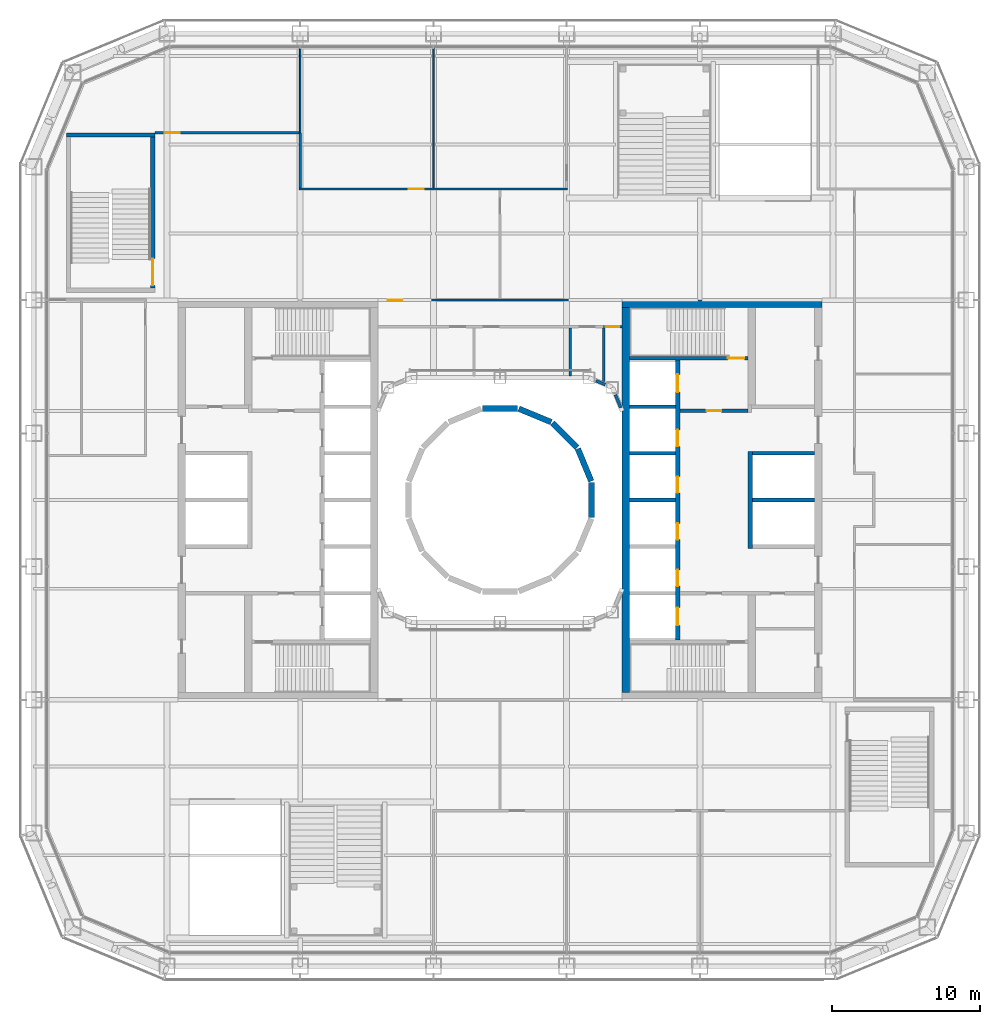
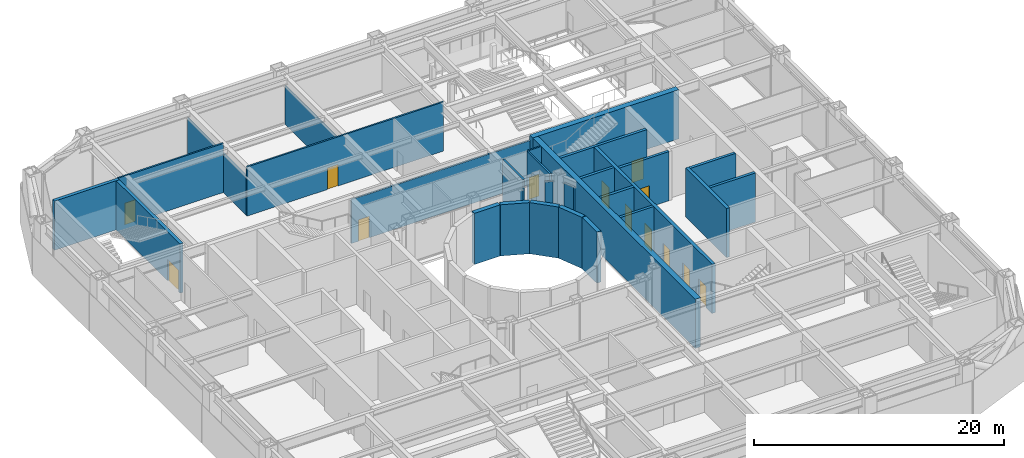
# One storey, part 14 of 25: 29 walls, 13 doors, 13 openings.
"""IFC4 building model written with IfcOpenShell, lengths in metres."""

from ifc_helpers import new_model, si_unit, direction, frame, frame_2d, origin, place, context, subcontext, project, spatial, rectangle, extrude, material, layer, layer_set, type_object, element, fill, save


model = new_model("IFC4")

# Units and contexts
model_context = context("Model", 3, precision=1e-05, world=origin(), true_north=direction((0.0, 1.0)))
body_context = subcontext(model_context, "Body", "Model", "MODEL_VIEW")
ifc_project = project(units=[si_unit("LENGTHUNIT", "METRE"), si_unit("AREAUNIT", "SQUARE_METRE"), si_unit("VOLUMEUNIT", "CUBIC_METRE"), si_unit("PLANEANGLEUNIT", "RADIAN"), si_unit("MASSUNIT", "GRAM", prefix="KILO")], contexts=[model_context])

# Site, building, storey
site_placement = place(None, origin())
site = spatial("IfcSite", under=ifc_project, at=site_placement, CompositionType="ELEMENT")
building_placement = place(site_placement, origin())
building = spatial("IfcBuilding", under=site, at=building_placement, Name="Siwar Civic Tower", CompositionType="ELEMENT")
storey_placement = place(building_placement, frame((0.0, 0.0, 7.199951171875)))
storey = spatial("IfcBuildingStorey", under=building, at=storey_placement, Name="L01", CompositionType="ELEMENT", Elevation=7.199951171875)

# Wall, opening, door
ifc_material_1 = material(Name="Gypsum board on steel studs", Category="steel")
ifc_layer_1 = layer(ifc_material_1, 0.14990234375)
ifc_layer_set_1 = layer_set([ifc_layer_1], Name="Gypsum board on steel studs")
wall_type_1 = type_object("IfcWallType", Name="COMPARTMENT PARTITION 150 EI 60", PredefinedType="PARTITIONING", material=ifc_layer_set_1)
wall_1_placement = place(storey_placement, frame((7.0, 11.699951171875, 0.0), z_axis=(0.0, 0.0, 1.0), x_axis=(1.0, 0.0, 0.0)))
wall_1 = element("IfcWall", 1, at=wall_1_placement, inside=storey, type_object=wall_type_1, Name="L01/wall/P11", PredefinedType="PARTITIONING", context=body_context, shape_type="SweptSolid", body=[
    extrude(rectangle(XDim=1.25, YDim=0.14990234375, at=frame_2d((0.625, 0.0))), origin(), (0.0, 0.0, 1.0), 4.800048828125),
])
opening_1_placement = place(wall_1_placement, frame((0.14990234375, 0.0, 0.0)))
opening_1 = element("IfcOpeningElement", 2, at=opening_1_placement, cuts=wall_1, Name="Opening D4", PredefinedType="OPENING", context=body_context, shape_type="SweptSolid", body=[
    extrude(rectangle(XDim=0.89990234375, YDim=2.10009765625, at=frame_2d((0.449951171875, 1.050048828125))), frame((0.0, 0.0849609375, 0.0), z_axis=(0.0, -1.0, 0.0), x_axis=(1.0, 0.0, 0.0)), (0.0, 0.0, 1.0), 0.169921875),
])
ifc_material_2 = material(Name="Timber, painted", Category="wood")
door_type_1 = type_object("IfcDoorType", Name="DOOR 900 X 2100 FD60", OperationType="SINGLE_SWING_LEFT", PredefinedType="DOOR", material=ifc_material_2)
door_1_placement = place(opening_1_placement, origin())
door_1 = element("IfcDoor", 3, at=door_1_placement, inside=storey, type_object=door_type_1, Name="L01-D13", OperationType="SINGLE_SWING_LEFT", OverallHeight=2.10009765625, OverallWidth=0.89990234375, PredefinedType="DOOR", context=body_context, shape_type="SweptSolid", body=[
    extrude(rectangle(XDim=0.89990234375, YDim=2.10009765625, at=frame_2d((0.449951171875, 1.050048828125))), frame((0.0, 0.02490234375, 0.0), z_axis=(0.0, -1.0, 0.0), x_axis=(1.0, 0.0, 0.0)), (0.0, 0.0, 1.0), 0.050048828125),
])
fill(opening_1, door_1)

# Wall
wall_2_placement = place(storey_placement, frame((7.0, 8.0, 0.0), z_axis=(0.0, 0.0, 1.0), x_axis=(0.0, 1.0, 0.0)))
element("IfcWall", 4, at=wall_2_placement, inside=storey, type_object=wall_type_1, Name="L01/wall/P29", PredefinedType="PARTITIONING", context=body_context, shape_type="SweptSolid", body=[
    extrude(rectangle(XDim=3.625, YDim=0.14990234375, at=frame_2d((1.8125, 0.0))), origin(), (0.0, 0.0, 1.0), 4.800048828125),
])

# Wall, opening, door
ifc_material_3 = material(Name="Concrete C60/75", Category="concrete")
ifc_layer_2 = layer(ifc_material_3, 0.25)
ifc_layer_set_2 = layer_set([ifc_layer_2], Name="Concrete C60/75")
wall_type_2 = type_object("IfcWallType", Name="CORE-WALL-RC250", PredefinedType="SHEAR", material=ifc_layer_set_2)
wall_3_placement = place(storey_placement, frame((12.14990234375, 6.02490234375, 0.0), z_axis=(0.0, 0.0, 1.0), x_axis=(1.0, 0.0, 0.0)))
wall_3 = element("IfcWall", 5, at=wall_3_placement, inside=storey, type_object=wall_type_2, Name="Core wall E", PredefinedType="SHEAR", context=body_context, shape_type="SweptSolid", body=[
    extrude(rectangle(XDim=4.60009765625, YDim=0.25, at=frame_2d((2.300048828125, 0.0))), origin(), (0.0, 0.0, 1.0), 4.800048828125),
])
opening_2_placement = place(wall_3_placement, frame((1.800048828125, 0.0, 0.0)))
opening_2 = element("IfcOpeningElement", 6, at=opening_2_placement, cuts=wall_3, Name="Opening L01-CE01", PredefinedType="OPENING", context=body_context, shape_type="SweptSolid", body=[
    extrude(rectangle(XDim=1.0, YDim=2.10009765625, at=frame_2d((0.5, 1.050048828125))), frame((0.0, 0.135009765625, 0.0), z_axis=(0.0, -1.0, 0.0), x_axis=(1.0, 0.0, 0.0)), (0.0, 0.0, 1.0), 0.27001953125),
])
ifc_material_4 = material(Name="Steel door leaf", Category="steel")
door_type_2 = type_object("IfcDoorType", Name="CORE-DOOR-FD30S", OperationType="SINGLE_SWING_LEFT", PredefinedType="DOOR", material=ifc_material_4)
door_2_placement = place(opening_2_placement, origin())
door_2 = element("IfcDoor", 7, at=door_2_placement, inside=storey, type_object=door_type_2, Name="Firefighting lobby door L01-CE01", OperationType="SINGLE_SWING_RIGHT", OverallHeight=2.10009765625, OverallWidth=1.0, PredefinedType="DOOR", context=body_context, shape_type="SweptSolid", body=[
    extrude(rectangle(XDim=1.0, YDim=2.10009765625, at=frame_2d((0.5, 1.050048828125))), frame((0.0, 0.02490234375, 0.0), z_axis=(0.0, -1.0, 0.0), x_axis=(1.0, 0.0, 0.0)), (0.0, 0.0, 1.0), 0.050048828125),
])
fill(opening_2, door_2)

# Walls
for number, where, z_axis, x_axis, name in (
    (8, (17.050048828125, 0.0, 0.0), (0.0, 0.0, 1.0), (1.0, 0.0, 0.0), "Core wall E"),
    (9, (17.050048828125, 3.14990234375, 0.0), (0.0, 0.0, 1.0), (1.0, 0.0, 0.0), "Core wall E"),
):
    element("IfcWall", number, at=place(storey_placement, frame(where, z_axis=z_axis, x_axis=x_axis)), inside=storey, type_object=wall_type_2, Name=name, PredefinedType="SHEAR", context=body_context, shape_type="SweptSolid", body=[
        extrude(rectangle(XDim=4.199951171875, YDim=0.25, at=frame_2d((2.10009765625, 0.0))), origin(), (0.0, 0.0, 1.0), 4.800048828125),
    ])
for number, where, z_axis, x_axis, name in (
    (10, (8.75, 0.0, 0.0), (0.0, 0.0, 1.0), (1.0, 0.0, 0.0), "Core wall E"),
    (11, (8.75, 3.14990234375, 0.0), (0.0, 0.0, 1.0), (1.0, 0.0, 0.0), "Core wall E"),
    (12, (8.75, 6.300048828125, 0.0), (0.0, 0.0, 1.0), (1.0, 0.0, 0.0), "Core wall E"),
):
    element("IfcWall", number, at=place(storey_placement, frame(where, z_axis=z_axis, x_axis=x_axis)), inside=storey, type_object=wall_type_2, Name=name, PredefinedType="SHEAR", context=body_context, shape_type="SweptSolid", body=[
        extrude(rectangle(XDim=3.10009765625, YDim=0.25, at=frame_2d((1.550048828125, 0.0))), origin(), (0.0, 0.0, 1.0), 4.800048828125),
    ])

# Wall, opening, door
wall_4_placement = place(storey_placement, frame((8.75, 9.574951171875, 0.0), z_axis=(0.0, 0.0, 1.0), x_axis=(1.0, 0.0, 0.0)))
wall_4 = element("IfcWall", 13, at=wall_4_placement, inside=storey, type_object=wall_type_2, Name="Core wall E", PredefinedType="SHEAR", context=body_context, shape_type="SweptSolid", body=[
    extrude(rectangle(XDim=8.0, YDim=0.25, at=frame_2d((4.0, 0.0))), origin(), (0.0, 0.0, 1.0), 4.800048828125),
])
opening_3_placement = place(wall_4_placement, frame((6.64990234375, 0.0, 0.0)))
opening_3 = element("IfcOpeningElement", 14, at=opening_3_placement, cuts=wall_4, Name="Opening L01-CE03", PredefinedType="OPENING", context=body_context, shape_type="SweptSolid", body=[
    extrude(rectangle(XDim=1.10009765625, YDim=2.10009765625, at=frame_2d((0.550048828125, 1.050048828125))), frame((0.0, 0.135009765625, 0.0), z_axis=(0.0, -1.0, 0.0), x_axis=(1.0, 0.0, 0.0)), (0.0, 0.0, 1.0), 0.27001953125),
])
ifc_material_5 = material(Name="Steel door leaf", Category="steel")
door_type_3 = type_object("IfcDoorType", Name="CORE-DOOR-FD60S", OperationType="SINGLE_SWING_LEFT", PredefinedType="DOOR", material=ifc_material_5)
door_3_placement = place(opening_3_placement, origin())
door_3 = element("IfcDoor", 15, at=door_3_placement, inside=storey, type_object=door_type_3, Name="Stair door L01-CE03", OperationType="SINGLE_SWING_LEFT", OverallHeight=2.10009765625, OverallWidth=1.10009765625, PredefinedType="DOOR", context=body_context, shape_type="SweptSolid", body=[
    extrude(rectangle(XDim=1.10009765625, YDim=2.10009765625, at=frame_2d((0.550048828125, 1.050048828125))), frame((0.0, 0.02490234375, 0.0), z_axis=(0.0, -1.0, 0.0), x_axis=(1.0, 0.0, 0.0)), (0.0, 0.0, 1.0), 0.050048828125),
])
fill(opening_3, door_3)

# Wall, openings, doors
ifc_material_6 = material(Name="Concrete C60/75", Category="concrete")
ifc_layer_3 = layer(ifc_material_6, 0.300048828125)
ifc_layer_set_3 = layer_set([ifc_layer_3], Name="Concrete C60/75")
wall_type_3 = type_object("IfcWallType", Name="CORE-WALL-RC300", PredefinedType="SHEAR", material=ifc_layer_set_3)
wall_5_placement = place(storey_placement, frame((12.0, -9.449951171875, 0.0), z_axis=(0.0, 0.0, 1.0), x_axis=(0.0, 1.0, 0.0)))
wall_5 = element("IfcWall", 16, at=wall_5_placement, inside=storey, type_object=wall_type_3, Name="Core wall E", PredefinedType="SHEAR", context=body_context, shape_type="SweptSolid", body=[
    extrude(rectangle(XDim=18.89990234375, YDim=0.300048828125, at=frame_2d((9.449951171875, 0.0))), origin(), (0.0, 0.0, 1.0), 4.800048828125),
])
opening_4_placement = place(wall_5_placement, frame((3.625, 0.0, 0.0)))
opening_4 = element("IfcOpeningElement", 17, at=opening_4_placement, cuts=wall_5, Name="Opening L01-CE07", PredefinedType="OPENING", context=body_context, shape_type="SweptSolid", body=[
    extrude(rectangle(XDim=1.10009765625, YDim=2.10009765625, at=frame_2d((0.550048828125, 1.050048828125))), frame((0.0, 0.16015625, 0.0), z_axis=(0.0, -1.0, 0.0), x_axis=(1.0, 0.0, 0.0)), (0.0, 0.0, 1.0), 0.320068359375),
])
opening_5_placement = place(wall_5_placement, frame((6.77490234375, 0.0, 0.0)))
opening_5 = element("IfcOpeningElement", 18, at=opening_5_placement, cuts=wall_5, Name="Opening L01-CE08", PredefinedType="OPENING", context=body_context, shape_type="SweptSolid", body=[
    extrude(rectangle(XDim=1.10009765625, YDim=2.10009765625, at=frame_2d((0.550048828125, 1.050048828125))), frame((0.0, 0.16015625, 0.0), z_axis=(0.0, -1.0, 0.0), x_axis=(1.0, 0.0, 0.0)), (0.0, 0.0, 1.0), 0.320068359375),
])
opening_6_placement = place(wall_5_placement, frame((9.925048828125, 0.0, 0.0)))
opening_6 = element("IfcOpeningElement", 19, at=opening_6_placement, cuts=wall_5, Name="Opening L01-CE09", PredefinedType="OPENING", context=body_context, shape_type="SweptSolid", body=[
    extrude(rectangle(XDim=1.10009765625, YDim=2.10009765625, at=frame_2d((0.550048828125, 1.050048828125))), frame((0.0, 0.16015625, 0.0), z_axis=(0.0, -1.0, 0.0), x_axis=(1.0, 0.0, 0.0)), (0.0, 0.0, 1.0), 0.320068359375),
])
opening_7_placement = place(wall_5_placement, frame((13.074951171875, 0.0, 0.0)))
opening_7 = element("IfcOpeningElement", 20, at=opening_7_placement, cuts=wall_5, Name="Opening L01-CE10", PredefinedType="OPENING", context=body_context, shape_type="SweptSolid", body=[
    extrude(rectangle(XDim=1.10009765625, YDim=2.10009765625, at=frame_2d((0.550048828125, 1.050048828125))), frame((0.0, 0.16015625, 0.0), z_axis=(0.0, -1.0, 0.0), x_axis=(1.0, 0.0, 0.0)), (0.0, 0.0, 1.0), 0.320068359375),
])
opening_8_placement = place(wall_5_placement, frame((16.72509765625, 0.0, 0.0)))
opening_8 = element("IfcOpeningElement", 21, at=opening_8_placement, cuts=wall_5, Name="Opening L01-CE11", PredefinedType="OPENING", context=body_context, shape_type="SweptSolid", body=[
    extrude(rectangle(XDim=1.199951171875, YDim=2.10009765625, at=frame_2d((0.60009765625, 1.050048828125))), frame((0.0, 0.16015625, 0.0), z_axis=(0.0, -1.0, 0.0), x_axis=(1.0, 0.0, 0.0)), (0.0, 0.0, 1.0), 0.320068359375),
])
opening_9_placement = place(wall_5_placement, frame((0.97509765625, 0.0, 0.0)))
opening_9 = element("IfcOpeningElement", 22, at=opening_9_placement, cuts=wall_5, Name="Opening L01-CE12", PredefinedType="OPENING", context=body_context, shape_type="SweptSolid", body=[
    extrude(rectangle(XDim=1.199951171875, YDim=2.10009765625, at=frame_2d((0.60009765625, 1.050048828125))), frame((0.0, 0.16015625, 0.0), z_axis=(0.0, -1.0, 0.0), x_axis=(1.0, 0.0, 0.0)), (0.0, 0.0, 1.0), 0.320068359375),
])
ifc_material_7 = material(Name="Steel door leaf", Category="steel")
door_type_4 = type_object("IfcDoorType", Name="CORE-DOOR-LD", OperationType="DOUBLE_DOOR_SLIDING", PredefinedType="DOOR", material=ifc_material_7)
door_4_placement = place(opening_4_placement, origin())
door_4 = element("IfcDoor", 23, at=door_4_placement, inside=storey, type_object=door_type_4, Name="Landing door LR5 L01-CE07", OperationType="DOUBLE_DOOR_SLIDING", OverallHeight=2.10009765625, OverallWidth=1.10009765625, PredefinedType="DOOR", context=body_context, shape_type="SweptSolid", body=[
    extrude(rectangle(XDim=1.10009765625, YDim=2.10009765625, at=frame_2d((0.550048828125, 1.050048828125))), frame((0.0, 0.02490234375, 0.0), z_axis=(0.0, -1.0, 0.0), x_axis=(1.0, 0.0, 0.0)), (0.0, 0.0, 1.0), 0.050048828125),
])
fill(opening_4, door_4)
door_5_placement = place(opening_5_placement, origin())
door_5 = element("IfcDoor", 24, at=door_5_placement, inside=storey, type_object=door_type_4, Name="Landing door LR6 L01-CE08", OperationType="DOUBLE_DOOR_SLIDING", OverallHeight=2.10009765625, OverallWidth=1.10009765625, PredefinedType="DOOR", context=body_context, shape_type="SweptSolid", body=[
    extrude(rectangle(XDim=1.10009765625, YDim=2.10009765625, at=frame_2d((0.550048828125, 1.050048828125))), frame((0.0, 0.02490234375, 0.0), z_axis=(0.0, -1.0, 0.0), x_axis=(1.0, 0.0, 0.0)), (0.0, 0.0, 1.0), 0.050048828125),
])
fill(opening_5, door_5)
door_6_placement = place(opening_6_placement, origin())
door_6 = element("IfcDoor", 25, at=door_6_placement, inside=storey, type_object=door_type_4, Name="Landing door LR7 L01-CE09", OperationType="DOUBLE_DOOR_SLIDING", OverallHeight=2.10009765625, OverallWidth=1.10009765625, PredefinedType="DOOR", context=body_context, shape_type="SweptSolid", body=[
    extrude(rectangle(XDim=1.10009765625, YDim=2.10009765625, at=frame_2d((0.550048828125, 1.050048828125))), frame((0.0, 0.02490234375, 0.0), z_axis=(0.0, -1.0, 0.0), x_axis=(1.0, 0.0, 0.0)), (0.0, 0.0, 1.0), 0.050048828125),
])
fill(opening_6, door_6)
door_7_placement = place(opening_7_placement, origin())
door_7 = element("IfcDoor", 26, at=door_7_placement, inside=storey, type_object=door_type_4, Name="Landing door LR8 L01-CE10", OperationType="DOUBLE_DOOR_SLIDING", OverallHeight=2.10009765625, OverallWidth=1.10009765625, PredefinedType="DOOR", context=body_context, shape_type="SweptSolid", body=[
    extrude(rectangle(XDim=1.10009765625, YDim=2.10009765625, at=frame_2d((0.550048828125, 1.050048828125))), frame((0.0, 0.02490234375, 0.0), z_axis=(0.0, -1.0, 0.0), x_axis=(1.0, 0.0, 0.0)), (0.0, 0.0, 1.0), 0.050048828125),
])
fill(opening_7, door_7)
ifc_material_8 = material(Name="Steel door leaf", Category="steel")
door_type_5 = type_object("IfcDoorType", Name="CORE-DOOR-LDW", OperationType="DOUBLE_DOOR_SLIDING", PredefinedType="DOOR", material=ifc_material_8)
door_8_placement = place(opening_8_placement, origin())
door_8 = element("IfcDoor", 27, at=door_8_placement, inside=storey, type_object=door_type_5, Name="Landing door FF2 L01-CE11", OperationType="DOUBLE_DOOR_SLIDING", OverallHeight=2.10009765625, OverallWidth=1.199951171875, PredefinedType="DOOR", context=body_context, shape_type="SweptSolid", body=[
    extrude(rectangle(XDim=1.199951171875, YDim=2.10009765625, at=frame_2d((0.60009765625, 1.050048828125))), frame((0.0, 0.02490234375, 0.0), z_axis=(0.0, -1.0, 0.0), x_axis=(1.0, 0.0, 0.0)), (0.0, 0.0, 1.0), 0.050048828125),
])
fill(opening_8, door_8)
door_9_placement = place(opening_9_placement, origin())
door_9 = element("IfcDoor", 28, at=door_9_placement, inside=storey, type_object=door_type_5, Name="Landing door SV2 L01-CE12", OperationType="DOUBLE_DOOR_SLIDING", OverallHeight=2.10009765625, OverallWidth=1.199951171875, PredefinedType="DOOR", context=body_context, shape_type="SweptSolid", body=[
    extrude(rectangle(XDim=1.199951171875, YDim=2.10009765625, at=frame_2d((0.60009765625, 1.050048828125))), frame((0.0, 0.02490234375, 0.0), z_axis=(0.0, -1.0, 0.0), x_axis=(1.0, 0.0, 0.0)), (0.0, 0.0, 1.0), 0.050048828125),
])
fill(opening_9, door_9)

# Walls
wall_6_placement = place(storey_placement, frame((16.89990234375, -3.27490234375, 0.0), z_axis=(0.0, 0.0, 1.0), x_axis=(0.0, 1.0, 0.0)))
element("IfcWall", 29, at=wall_6_placement, inside=storey, type_object=wall_type_3, Name="Core wall E", PredefinedType="SHEAR", context=body_context, shape_type="SweptSolid", body=[
    extrude(rectangle(XDim=6.5498046875, YDim=0.300048828125, at=frame_2d((3.27490234375, 0.0))), origin(), (0.0, 0.0, 1.0), 4.800048828125),
])
ifc_material_9 = material(Name="Concrete C60/75", Category="concrete")
ifc_layer_4 = layer(ifc_material_9, 0.5)
ifc_layer_set_4 = layer_set([ifc_layer_4], Name="Concrete C60/75")
wall_type_4 = type_object("IfcWallType", Name="CORE-WALL-RC500", PredefinedType="SHEAR", material=ifc_layer_set_4)
wall_7_placement = place(storey_placement, frame((8.25, 13.25, 0.0), z_axis=(0.0, 0.0, 1.0), x_axis=(1.0, 0.0, 0.0)))
element("IfcWall", 30, at=wall_7_placement, inside=storey, type_object=wall_type_4, Name="Core wall E", PredefinedType="SHEAR", context=body_context, shape_type="SweptSolid", body=[
    extrude(rectangle(XDim=13.5, YDim=0.5, at=frame_2d((6.75, 0.0))), origin(), (0.0, 0.0, 1.0), 4.800048828125),
])
ifc_material_10 = material(Name="Concrete C60/75", Category="concrete")
ifc_layer_5 = layer(ifc_material_10, 0.5)
ifc_layer_set_5 = layer_set([ifc_layer_5], Name="Concrete C60/75")
wall_type_5 = type_object("IfcWallType", Name="CORE-WALL-RC500-EXT", PredefinedType="SHEAR", material=ifc_layer_set_5)
wall_8_placement = place(storey_placement, frame((8.5, -13.0, 0.0), z_axis=(0.0, 0.0, 1.0), x_axis=(0.0, 1.0, 0.0)))
element("IfcWall", 31, at=wall_8_placement, inside=storey, type_object=wall_type_5, Name="Core wall E", PredefinedType="SHEAR", context=body_context, shape_type="SweptSolid", body=[
    extrude(rectangle(XDim=26.0, YDim=0.5, at=frame_2d((13.0, 0.0))), origin(), (0.0, 0.0, 1.0), 4.800048828125),
])

# Wall, opening, door
ifc_material_11 = material(Name="Gypsum board on steel studs", Category="steel")
ifc_layer_6 = layer(ifc_material_11, 0.14990234375)
ifc_layer_set_6 = layer_set([ifc_layer_6], Name="Gypsum board on steel studs")
wall_type_6 = type_object("IfcWallType", Name="CORRIDOR PARTITION 150 EI 30", PredefinedType="PARTITIONING", material=ifc_layer_set_6)
wall_9_placement = place(storey_placement, frame((-8.25, 13.5, 0.0), z_axis=(0.0, 0.0, 1.0), x_axis=(1.0, 0.0, 0.0)))
wall_9 = element("IfcWall", 32, at=wall_9_placement, inside=storey, type_object=wall_type_6, Name="L01/wall/P13", PredefinedType="PARTITIONING", context=body_context, shape_type="SweptSolid", body=[
    extrude(rectangle(XDim=16.5, YDim=0.14990234375, at=frame_2d((8.25, 0.0))), origin(), (0.0, 0.0, 1.0), 4.300048828125),
])
opening_10_placement = place(wall_9_placement, frame((0.64990234375, 0.0, 0.0)))
opening_10 = element("IfcOpeningElement", 33, at=opening_10_placement, cuts=wall_9, Name="Opening D1", PredefinedType="OPENING", context=body_context, shape_type="SweptSolid", body=[
    extrude(rectangle(XDim=1.0, YDim=2.10009765625, at=frame_2d((0.5, 1.050048828125))), frame((0.0, 0.0849609375, 0.0), z_axis=(0.0, -1.0, 0.0), x_axis=(1.0, 0.0, 0.0)), (0.0, 0.0, 1.0), 0.169921875),
])
ifc_material_12 = material(Name="Timber, painted", Category="wood")
door_type_6 = type_object("IfcDoorType", Name="DOOR 1000 X 2100 FD30", OperationType="SINGLE_SWING_LEFT", PredefinedType="DOOR", material=ifc_material_12)
door_10_placement = place(opening_10_placement, origin())
door_10 = element("IfcDoor", 34, at=door_10_placement, inside=storey, type_object=door_type_6, Name="L01-D09", OperationType="SINGLE_SWING_LEFT", OverallHeight=2.10009765625, OverallWidth=1.0, PredefinedType="DOOR", context=body_context, shape_type="SweptSolid", body=[
    extrude(rectangle(XDim=1.0, YDim=2.10009765625, at=frame_2d((0.5, 1.050048828125))), frame((0.0, 0.02490234375, 0.0), z_axis=(0.0, -1.0, 0.0), x_axis=(1.0, 0.0, 0.0)), (0.0, 0.0, 1.0), 0.050048828125),
])
fill(opening_10, door_10)

wall_10_placement = place(storey_placement, frame((-13.574951171875, 21.0, 0.0), z_axis=(0.0, 0.0, 1.0), x_axis=(1.0, 0.0, 0.0)))
wall_10 = element("IfcWall", 35, at=wall_10_placement, inside=storey, type_object=wall_type_6, Name="L01/wall/P14", PredefinedType="PARTITIONING", context=body_context, shape_type="SweptSolid", body=[
    extrude(rectangle(XDim=18.14990234375, YDim=0.14990234375, at=frame_2d((9.074951171875, 0.0))), origin(), (0.0, 0.0, 1.0), 4.800048828125),
])
opening_11_placement = place(wall_10_placement, frame((7.425048828125, 0.0, 0.0)))
opening_11 = element("IfcOpeningElement", 36, at=opening_11_placement, cuts=wall_10, Name="Opening D1", PredefinedType="OPENING", context=body_context, shape_type="SweptSolid", body=[
    extrude(rectangle(XDim=1.0, YDim=2.10009765625, at=frame_2d((0.5, 1.050048828125))), frame((0.0, 0.0849609375, 0.0), z_axis=(0.0, -1.0, 0.0), x_axis=(1.0, 0.0, 0.0)), (0.0, 0.0, 1.0), 0.169921875),
])
door_11_placement = place(opening_11_placement, origin())
door_11 = element("IfcDoor", 37, at=door_11_placement, inside=storey, type_object=door_type_6, Name="L01-D03", OperationType="SINGLE_SWING_LEFT", OverallHeight=2.10009765625, OverallWidth=1.0, PredefinedType="DOOR", context=body_context, shape_type="SweptSolid", body=[
    extrude(rectangle(XDim=1.0, YDim=2.10009765625, at=frame_2d((0.5, 1.050048828125))), frame((0.0, 0.02490234375, 0.0), z_axis=(0.0, -1.0, 0.0), x_axis=(1.0, 0.0, 0.0)), (0.0, 0.0, 1.0), 0.050048828125),
])
fill(opening_11, door_11)

wall_11_placement = place(storey_placement, frame((-23.300048828125, 24.800048828125, 0.0), z_axis=(0.0, 0.0, 1.0), x_axis=(1.0, 0.0, 0.0)))
wall_11 = element("IfcWall", 38, at=wall_11_placement, inside=storey, type_object=wall_type_6, Name="L01/wall/P16", PredefinedType="PARTITIONING", context=body_context, shape_type="SweptSolid", body=[
    extrude(rectangle(XDim=9.75, YDim=0.14990234375, at=frame_2d((4.875, 0.0))), origin(), (0.0, 0.0, 1.0), 4.800048828125),
])
opening_12_placement = place(wall_11_placement, frame((0.64990234375, 0.0, 0.0)))
opening_12 = element("IfcOpeningElement", 39, at=opening_12_placement, cuts=wall_11, Name="Opening D1", PredefinedType="OPENING", context=body_context, shape_type="SweptSolid", body=[
    extrude(rectangle(XDim=1.0, YDim=2.10009765625, at=frame_2d((0.5, 1.050048828125))), frame((0.0, 0.0849609375, 0.0), z_axis=(0.0, -1.0, 0.0), x_axis=(1.0, 0.0, 0.0)), (0.0, 0.0, 1.0), 0.169921875),
])
door_12_placement = place(opening_12_placement, origin())
door_12 = element("IfcDoor", 40, at=door_12_placement, inside=storey, type_object=door_type_6, Name="L01-D02", OperationType="SINGLE_SWING_RIGHT", OverallHeight=2.10009765625, OverallWidth=1.0, PredefinedType="DOOR", context=body_context, shape_type="SweptSolid", body=[
    extrude(rectangle(XDim=1.0, YDim=2.10009765625, at=frame_2d((0.5, 1.050048828125))), frame((0.0, 0.02490234375, 0.0), z_axis=(0.0, -1.0, 0.0), x_axis=(1.0, 0.0, 0.0)), (0.0, 0.0, 1.0), 0.050048828125),
])
fill(opening_12, door_12)

# Walls
wall_12_placement = place(storey_placement, frame((-13.5, 21.074951171875, 0.0), z_axis=(0.0, 0.0, 1.0), x_axis=(0.0, 1.0, 0.0)))
element("IfcWall", 41, at=wall_12_placement, inside=storey, type_object=wall_type_6, Name="L01/wall/P20", PredefinedType="PARTITIONING", context=body_context, shape_type="SweptSolid", body=[
    extrude(rectangle(XDim=3.72509765625, YDim=0.14990234375, at=frame_2d((1.862548828125, 0.0))), origin(), (0.0, 0.0, 1.0), 3.800048828125),
])
wall_13_placement = place(storey_placement, frame((4.75, 8.3701171875, 0.0), z_axis=(0.0, 0.0, 1.0), x_axis=(0.0, 1.0, 0.0)))
element("IfcWall", 42, at=wall_13_placement, inside=storey, type_object=wall_type_6, Name="L01/wall/P28", PredefinedType="PARTITIONING", context=body_context, shape_type="SweptSolid", body=[
    extrude(rectangle(XDim=3.2548828125, YDim=0.14990234375, at=frame_2d((1.62744140625, 0.0))), origin(), (0.0, 0.0, 1.0), 4.800048828125),
])
ifc_material_13 = material(Name="Aluminium clad insulated panel", Category="aluminium")
ifc_layer_7 = layer(ifc_material_13, 0.199951171875)
ifc_layer_set_7 = layer_set([ifc_layer_7], Name="Aluminium clad insulated panel")
wall_type_7 = type_object("IfcWallType", Name="ENV-WALL-WELL", PredefinedType="STANDARD", material=ifc_layer_set_7)
wall_14_placement = place(storey_placement, frame((8.154296875, 6.23095703125, 0.0), z_axis=(0.0, 0.0, 1.0), x_axis=(-0.382624318388, 0.923904016107, 0.0)))
element("IfcWall", 43, at=wall_14_placement, inside=storey, type_object=wall_type_7, Name="Light well corner wall NE1", PredefinedType="STANDARD", context=body_context, shape_type="SweptSolid", body=[
    extrude(rectangle(XDim=0.949462890625, YDim=0.199951171875, at=frame_2d((0.474609375, 0.0))), origin(), (0.0, 0.0, 1.0), 4.179931640625),
])
wall_15_placement = place(storey_placement, frame((7.108154296875, 7.791015625, 0.0), z_axis=(0.0, 0.0, 1.0), x_axis=(-0.923854141361, 0.382744726273, 0.0)))
element("IfcWall", 44, at=wall_15_placement, inside=storey, type_object=wall_type_7, Name="Light well corner wall NE2", PredefinedType="STANDARD", context=body_context, shape_type="SweptSolid", body=[
    extrude(rectangle(XDim=0.6767578125, YDim=0.199951171875, at=frame_2d((0.33837890625, 0.0))), origin(), (0.0, 0.0, 1.0), 4.179931640625),
])
ifc_material_14 = material(Name="Concrete C60/75", Category="concrete")
ifc_layer_8 = layer(ifc_material_14, 0.39990234375)
ifc_layer_set_8 = layer_set([ifc_layer_8], Name="Concrete C60/75")
wall_type_8 = type_object("IfcWallType", Name="GND-DRUMWALL", PredefinedType="SOLIDWALL", material=ifc_layer_set_8)
wall_16_placement = place(storey_placement, frame((6.163330078125, 1.266845703125, 0.0), z_axis=(0.0, 0.0, 1.0), x_axis=(-0.382681453552, 0.92388035216, 0.0)))
element("IfcWall", 45, at=wall_16_placement, inside=storey, type_object=wall_type_8, Name="L01/wall/drum-01", PredefinedType="SOLIDWALL", context=body_context, shape_type="SweptSolid", body=[
    extrude(rectangle(XDim=2.37646484375, YDim=0.39990234375, at=frame_2d((1.188232421875, 0.0))), origin(), (0.0, 0.0, 1.0), 5.0),
])
wall_17_placement = place(storey_placement, frame((5.20947265625, 3.52880859375, 0.0), z_axis=(0.0, 0.0, 1.0), x_axis=(-0.707106781187, 0.707106781187, 0.0)))
element("IfcWall", 46, at=wall_17_placement, inside=storey, type_object=wall_type_8, Name="L01/wall/drum-02", PredefinedType="SOLIDWALL", context=body_context, shape_type="SweptSolid", body=[
    extrude(rectangle(XDim=2.376708984375, YDim=0.39990234375, at=frame_2d((1.1884765625, 0.0))), origin(), (0.0, 0.0, 1.0), 5.0),
])
for number, where, z_axis, x_axis, name in (
    (47, (3.46240234375, 5.25390625, 0.0), (0.0, 0.0, 1.0), (-0.92388035216, 0.382681453552, 0.0), "L01/wall/drum-03"),
    (48, (1.188232421875, 6.178955078125, 0.0), (0.0, 0.0, 1.0), (-1.0, 0.0, 0.0), "L01/wall/drum-04"),
    (49, (6.178955078125, -1.188232421875, 0.0), (0.0, 0.0, 1.0), (0.0, 1.0, 0.0), "L01/wall/drum-16"),
):
    element("IfcWall", number, at=place(storey_placement, frame(where, z_axis=z_axis, x_axis=x_axis)), inside=storey, type_object=wall_type_8, Name=name, PredefinedType="SOLIDWALL", context=body_context, shape_type="SweptSolid", body=[
        extrude(rectangle(XDim=2.37646484375, YDim=0.39990234375, at=frame_2d((1.188232421875, 0.0))), origin(), (0.0, 0.0, 1.0), 5.0),
    ])

# Wall, opening, door
ifc_material_15 = material(Name="Concrete C60/75", Category="concrete")
ifc_layer_9 = layer(ifc_material_15, 0.300048828125)
ifc_layer_set_9 = layer_set([ifc_layer_9], Name="Concrete C60/75")
wall_type_9 = type_object("IfcWallType", Name="GND-ES-WALL", PredefinedType="SHEAR", material=ifc_layer_set_9)
wall_18_placement = place(storey_placement, frame((-23.449951171875, 14.300048828125, 0.0), z_axis=(0.0, 0.0, 1.0), x_axis=(0.0, 1.0, 0.0)))
wall_18 = element("IfcWall", 50, at=wall_18_placement, inside=storey, type_object=wall_type_9, Name="Stair wall ST5", PredefinedType="SHEAR", context=body_context, shape_type="SweptSolid", body=[
    extrude(rectangle(XDim=10.199951171875, YDim=0.300048828125, at=frame_2d((5.10009765625, 0.0))), origin(), (0.0, 0.0, 1.0), 4.800048828125),
])
opening_13_placement = place(wall_18_placement, frame((0.199951171875, 0.0, 0.0)))
opening_13 = element("IfcOpeningElement", 51, at=opening_13_placement, cuts=wall_18, Name="Opening SX1", PredefinedType="OPENING", context=body_context, shape_type="SweptSolid", body=[
    extrude(rectangle(XDim=1.800048828125, YDim=2.10009765625, at=frame_2d((0.89990234375, 1.050048828125))), frame((0.0, 0.16015625, 0.0), z_axis=(0.0, -1.0, 0.0), x_axis=(1.0, 0.0, 0.0)), (0.0, 0.0, 1.0), 0.320068359375),
])
ifc_material_16 = material(Name="Steel door leaf", Category="steel")
door_type_7 = type_object("IfcDoorType", Name="GND-ES-DOOR", OperationType="DOUBLE_DOOR_SINGLE_SWING", PredefinedType="DOOR", material=ifc_material_16)
door_13_placement = place(opening_13_placement, origin())
door_13 = element("IfcDoor", 52, at=door_13_placement, inside=storey, type_object=door_type_7, Name="Stair door ST5", OperationType="DOUBLE_DOOR_SINGLE_SWING", OverallHeight=2.10009765625, OverallWidth=1.800048828125, PredefinedType="DOOR", context=body_context, shape_type="SweptSolid", body=[
    extrude(rectangle(XDim=1.800048828125, YDim=2.10009765625, at=frame_2d((0.89990234375, 1.050048828125))), frame((0.0, 0.02490234375, 0.0), z_axis=(0.0, -1.0, 0.0), x_axis=(1.0, 0.0, 0.0)), (0.0, 0.0, 1.0), 0.050048828125),
])
fill(opening_13, door_13)

# Walls
wall_19_placement = place(storey_placement, frame((-29.300048828125, 24.64990234375, 0.0), z_axis=(0.0, 0.0, 1.0), x_axis=(1.0, 0.0, 0.0)))
element("IfcWall", 53, at=wall_19_placement, inside=storey, type_object=wall_type_9, Name="Stair wall ST5", PredefinedType="SHEAR", context=body_context, shape_type="SweptSolid", body=[
    extrude(rectangle(XDim=6.0, YDim=0.300048828125, at=frame_2d((3.0, 0.0))), origin(), (0.0, 0.0, 1.0), 4.800048828125),
])
ifc_material_17 = material(Name="Gypsum board on steel studs", Category="steel")
ifc_layer_10 = layer(ifc_material_17, 0.10009765625)
ifc_layer_set_10 = layer_set([ifc_layer_10], Name="Gypsum board on steel studs")
wall_type_10 = type_object("IfcWallType", Name="PARTITION 100 GYPSUM", PredefinedType="PARTITIONING", material=ifc_layer_set_10)
wall_20_placement = place(storey_placement, frame((-13.5, 24.800048828125, 0.0), z_axis=(0.0, 0.0, 1.0), x_axis=(0.0, 1.0, 0.0)))
element("IfcWall", 54, at=wall_20_placement, inside=storey, type_object=wall_type_10, Name="L01/wall/P19", PredefinedType="PARTITIONING", context=body_context, shape_type="SweptSolid", body=[
    extrude(rectangle(XDim=5.7099609375, YDim=0.10009765625, at=frame_2d((2.85498046875, 0.0))), origin(), (0.0, 0.0, 1.0), 3.800048828125),
])
wall_21_placement = place(storey_placement, frame((-4.5, 21.074951171875, 0.0), z_axis=(0.0, 0.0, 1.0), x_axis=(0.0, 1.0, 0.0)))
element("IfcWall", 55, at=wall_21_placement, inside=storey, type_object=wall_type_10, Name="L01/wall/P21", PredefinedType="PARTITIONING", context=body_context, shape_type="SweptSolid", body=[
    extrude(rectangle(XDim=9.43505859375, YDim=0.10009765625, at=frame_2d((4.717529296875, 0.0))), origin(), (0.0, 0.0, 1.0), 3.800048828125),
])

save(model, "model.ifc")
